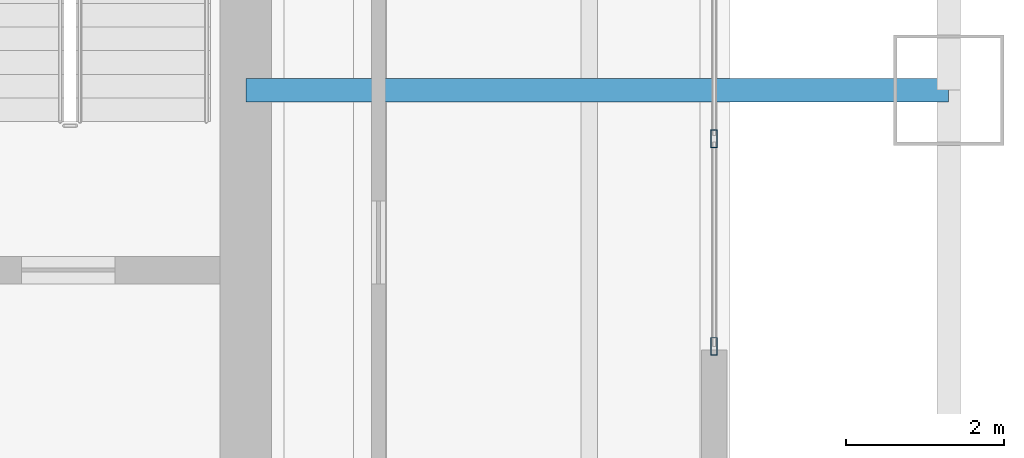
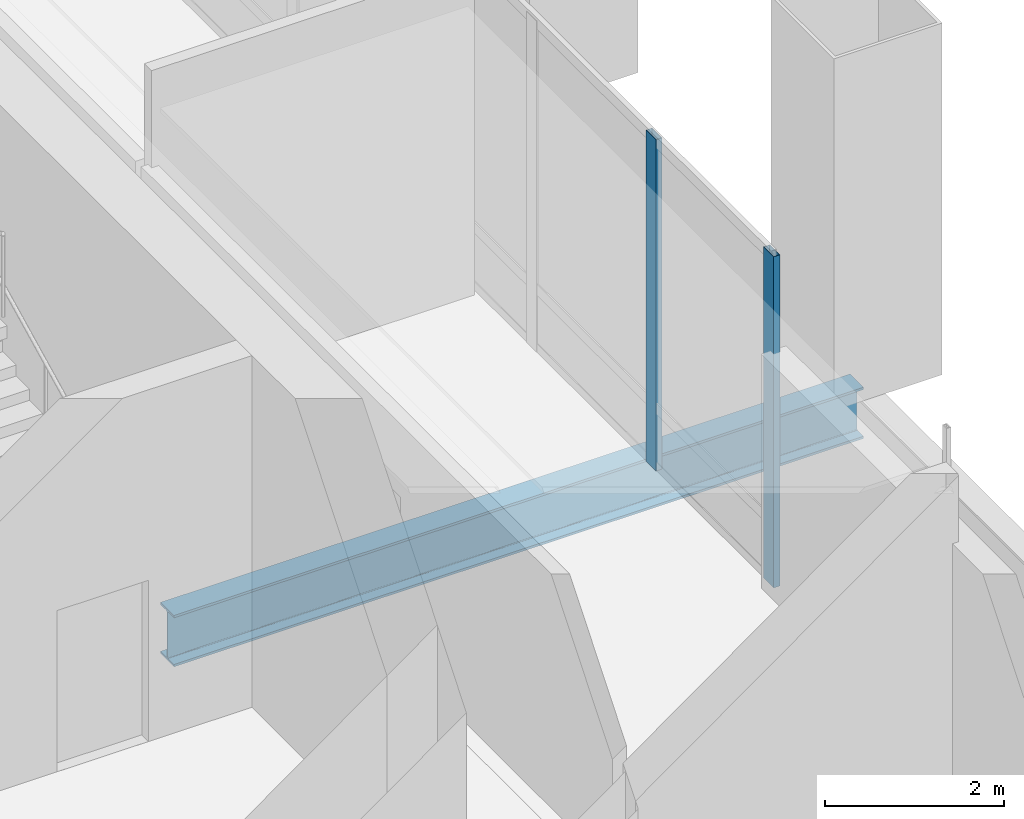
# One storey, part 10 of 30: 2 members, 1 beam, 1 element without a shape of its own.
"""IFC4 building model written with IfcOpenShell, lengths in metres."""

from ifc_helpers import new_model, si_unit, direction, frame, origin, origin_2d, place, context, subcontext, project, spatial, hollow_rectangle, i_section, extrude, material, material_profile, profile_set, type_object, element, aggregate, save


model = new_model("IFC4")

# Units and contexts
model_context = context("Model", 3, precision=1e-05, world=origin(), true_north=direction((0.0, 1.0)))
body_context = subcontext(model_context, "Body", "Model", "MODEL_VIEW")
ifc_project = project(units=[si_unit("LENGTHUNIT", "METRE"), si_unit("AREAUNIT", "SQUARE_METRE"), si_unit("VOLUMEUNIT", "CUBIC_METRE"), si_unit("PLANEANGLEUNIT", "RADIAN"), si_unit("MASSUNIT", "GRAM", prefix="KILO")], contexts=[model_context])

# Site, building, storey
site_placement = place(None, origin())
site = spatial("IfcSite", under=ifc_project, at=site_placement, CompositionType="ELEMENT")
building_placement = place(site_placement, origin())
building = spatial("IfcBuilding", under=site, at=building_placement, Name="Punatoya Terracotta Tower", CompositionType="ELEMENT")
storey_placement = place(building_placement, frame((0.0, 0.0, 135.0)))
storey = spatial("IfcBuildingStorey", under=building, at=storey_placement, Name="L31", CompositionType="ELEMENT", Elevation=135.0)

# Beam
ifc_material_1 = material(Name="Steel S355", Category="steel")
ifc_material_profile_1 = material_profile(ifc_material_1, i_section(OverallWidth=0.300048828125, OverallDepth=0.699951171875, WebThickness=0.01708984375, FlangeThickness=0.031982421875, FilletRadius=0.01806640625, at=origin_2d()))
ifc_profile_set_1 = profile_set([ifc_material_profile_1], Name="Steel S355")
beam_type = type_object("IfcBeamType", Name="BM-PRI-700", PredefinedType="BEAM", material=ifc_profile_set_1)
beam_placement = place(storey_placement, frame((10.199951171875, -3.39990234375, -0.610107421875), z_axis=(1.0, 0.0, 0.0), x_axis=(0.0, 1.0, 0.0)))
element("IfcBeam", 1, at=beam_placement, inside=storey, type_object=beam_type, Name="BM-L31-PR-ED", PredefinedType="BEAM", context=body_context, shape_type="SweptSolid", body=[
    extrude(i_section(OverallWidth=0.300048828125, OverallDepth=0.699951171875, WebThickness=0.01708984375, FlangeThickness=0.031982421875, FilletRadius=0.01806640625, at=origin_2d()), origin(), (0.0, 0.0, 1.0), 8.900146484375),
])

# Curtain wall, members
ifc_material_2 = material(Name="Aluminium 6063-T6 + Double Low-E Glass", Category="aluminium")
curtain_wall_type = type_object("IfcCurtainWallType", Name="CW-NCK", PredefinedType="NOTDEFINED", material=ifc_material_2)
curtain_wall_placement = place(storey_placement, origin())
curtain_wall = element("IfcCurtainWall", 2, at=curtain_wall_placement, inside=storey, type_object=curtain_wall_type, Name="L31 Curtain Wall CW-L31-E05-1", PredefinedType="NOTDEFINED")
ifc_material_3 = material(Name="Aluminium 6063-T6", Category="aluminium")
ifc_material_profile_2 = material_profile(ifc_material_3, hollow_rectangle(XDim=0.080078125, YDim=0.22509765625, WallThickness=0.0048828125, at=origin_2d()))
ifc_profile_set_2 = profile_set([ifc_material_profile_2], Name="Aluminium 6063-T6")
member_type = type_object("IfcMemberType", Name="CW-MUL-NCK", PredefinedType="MULLION", material=ifc_profile_set_2)
member_1_placement = place(storey_placement, frame((16.1298828125, -6.64501953125, 0.0), z_axis=(0.0, 0.0, 1.0), x_axis=(1.0, 0.0, 0.0)))
member_1 = element("IfcMember", 3, at=member_1_placement, type_object=member_type, Name="CW-L31-E05-1 Mullion 00", PredefinedType="MULLION", context=body_context, shape_type="SweptSolid", body=[
    extrude(hollow_rectangle(XDim=0.080078125, YDim=0.22509765625, WallThickness=0.0048828125, at=origin_2d()), origin(), (0.0, 0.0, 1.0), 4.52001953125),
])
member_2_placement = place(storey_placement, frame((16.1298828125, -4.013916015625, 0.0), z_axis=(0.0, 0.0, 1.0), x_axis=(1.0, 0.0, 0.0)))
member_2 = element("IfcMember", 4, at=member_2_placement, type_object=member_type, Name="CW-L31-E05-1 Mullion 01", PredefinedType="MULLION", context=body_context, shape_type="SweptSolid", body=[
    extrude(hollow_rectangle(XDim=0.080078125, YDim=0.22509765625, WallThickness=0.0048828125, at=origin_2d()), origin(), (0.0, 0.0, 1.0), 4.52001953125),
])
aggregate(curtain_wall, [member_1, member_2])

save(model, "model.ifc")
